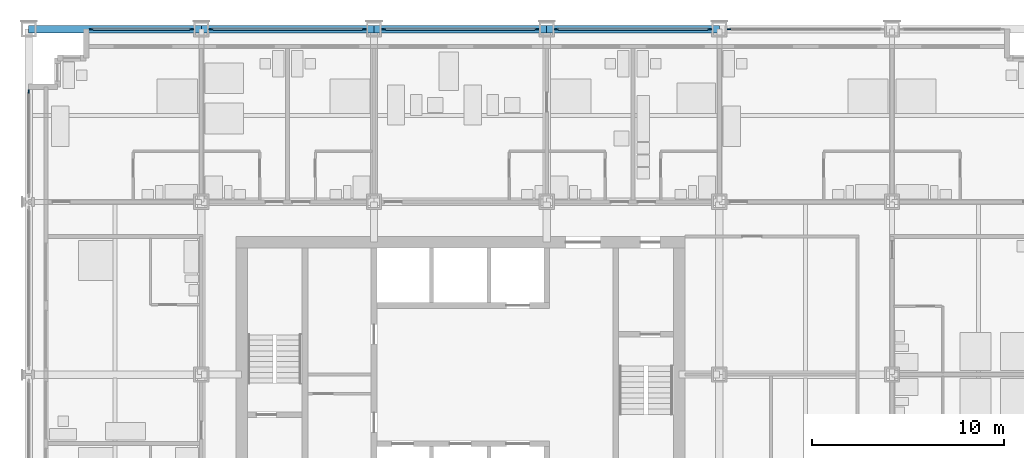
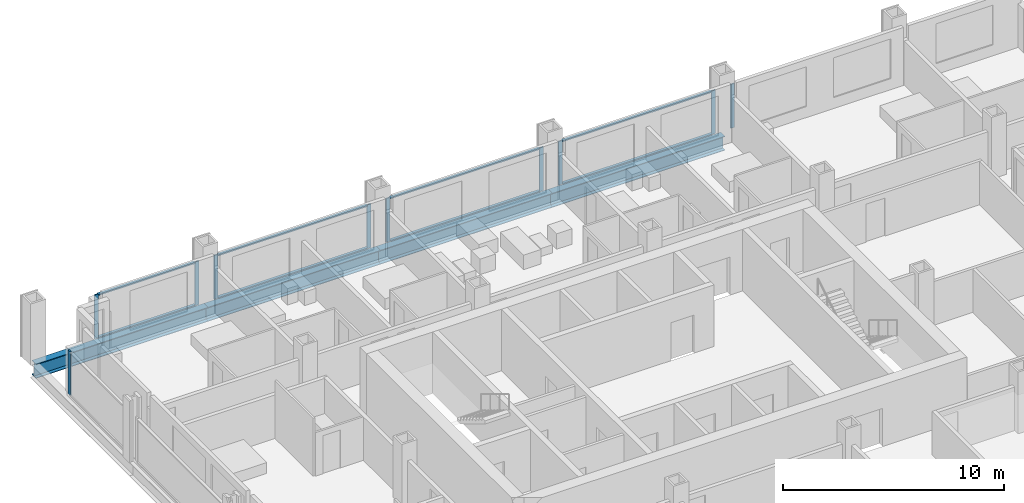
# One storey, part 7 of 18: 18 members, 4 beams, 6 elements without a shape of their own.
"""IFC4 building model written with IfcOpenShell, lengths in metres."""

from ifc_helpers import new_model, si_unit, direction, frame, origin, origin_2d, place, context, subcontext, project, spatial, rectangle, i_section, extrude, material, material_profile, profile_set, type_object, element, aggregate, save


model = new_model("IFC4")

# Units and contexts
model_context = context("Model", 3, precision=1e-05, world=origin(), true_north=direction((0.0, 1.0)))
body_context = subcontext(model_context, "Body", "Model", "MODEL_VIEW")
ifc_project = project(units=[si_unit("LENGTHUNIT", "METRE"), si_unit("AREAUNIT", "SQUARE_METRE"), si_unit("VOLUMEUNIT", "CUBIC_METRE"), si_unit("PLANEANGLEUNIT", "RADIAN"), si_unit("MASSUNIT", "GRAM", prefix="KILO")], contexts=[model_context])

# Site, building, storey
site_placement = place(None, origin())
site = spatial("IfcSite", under=ifc_project, at=site_placement, CompositionType="ELEMENT")
building_placement = place(site_placement, origin())
building = spatial("IfcBuilding", under=site, at=building_placement, Name="Loomwork Tower", CompositionType="ELEMENT")
storey_placement = place(building_placement, frame((0.0, 0.0, 34.800048828125)))
storey = spatial("IfcBuildingStorey", under=building, at=storey_placement, Name="L07", CompositionType="ELEMENT", Elevation=34.800048828125)

# Curtain wall, members
ifc_material_1 = material(Name="Aluminium curtain wall frame", Category="aluminium")
curtain_wall_type = type_object("IfcCurtainWallType", Name="Outer skin glazing hotel", PredefinedType="NOTDEFINED", material=ifc_material_1)
curtain_wall_1_placement = place(storey_placement, origin())
curtain_wall_1 = element("IfcCurtainWall", 1, at=curtain_wall_1_placement, inside=storey, type_object=curtain_wall_type, Name="Outer skin glazing hotel cw/N-0", PredefinedType="NOTDEFINED")
ifc_material_2 = material(Name="Aluminium curtain wall frame", Category="aluminium")
ifc_material_profile_1 = material_profile(ifc_material_2, rectangle(XDim=0.06494140625, YDim=0.199951171875, at=origin_2d()), Name="AL 65x200")
ifc_profile_set_1 = profile_set([ifc_material_profile_1], Name="Aluminium curtain wall frame")
member_type_1 = type_object("IfcMemberType", Name="Outer skin glazing hotel mullion", PredefinedType="MULLION", material=ifc_profile_set_1)
member_1_placement = place(storey_placement, frame((8.5, 36.0, 0.0), z_axis=(0.0, 0.0, 1.0), x_axis=(0.0, -1.0, 0.0)))
member_1 = element("IfcMember", 2, at=member_1_placement, type_object=member_type_1, Name="CW1 mullion 1", PredefinedType="MULLION", context=body_context, shape_type="SweptSolid", body=[
    extrude(rectangle(XDim=0.06494140625, YDim=0.199951171875, at=origin_2d()), origin(), (0.0, 0.0, 1.0), 2.420166015625),
])
member_2_placement = place(storey_placement, frame((3.25, 36.0, 0.0), z_axis=(0.0, 0.0, 1.0), x_axis=(0.0, -1.0, 0.0)))
member_2 = element("IfcMember", 3, at=member_2_placement, type_object=member_type_1, Name="CW1 mullion 2", PredefinedType="MULLION", context=body_context, shape_type="SweptSolid", body=[
    extrude(rectangle(XDim=0.06494140625, YDim=0.199951171875, at=origin_2d()), origin(), (0.0, 0.0, 1.0), 2.420166015625),
])

curtain_wall_2_placement = place(storey_placement, origin())
curtain_wall_2 = element("IfcCurtainWall", 4, at=curtain_wall_2_placement, inside=storey, type_object=curtain_wall_type, Name="Outer skin glazing hotel cw/N-9", PredefinedType="NOTDEFINED")
member_3_placement = place(storey_placement, frame((17.5, 36.0, 0.0), z_axis=(0.0, 0.0, 1.0), x_axis=(0.0, -1.0, 0.0)))
member_3 = element("IfcMember", 5, at=member_3_placement, type_object=member_type_1, Name="CW1 mullion 1", PredefinedType="MULLION", context=body_context, shape_type="SweptSolid", body=[
    extrude(rectangle(XDim=0.06494140625, YDim=0.199951171875, at=origin_2d()), origin(), (0.0, 0.0, 1.0), 2.420166015625),
])
member_4_placement = place(storey_placement, frame((9.5, 36.0, 0.0), z_axis=(0.0, 0.0, 1.0), x_axis=(0.0, -1.0, 0.0)))
member_4 = element("IfcMember", 6, at=member_4_placement, type_object=member_type_1, Name="CW1 mullion 2", PredefinedType="MULLION", context=body_context, shape_type="SweptSolid", body=[
    extrude(rectangle(XDim=0.06494140625, YDim=0.199951171875, at=origin_2d()), origin(), (0.0, 0.0, 1.0), 2.420166015625),
])

curtain_wall_3_placement = place(storey_placement, origin())
curtain_wall_3 = element("IfcCurtainWall", 7, at=curtain_wall_3_placement, inside=storey, type_object=curtain_wall_type, Name="Outer skin glazing hotel cw/N-18", PredefinedType="NOTDEFINED")
member_5_placement = place(storey_placement, frame((26.5, 36.0, 0.0), z_axis=(0.0, 0.0, 1.0), x_axis=(0.0, -1.0, 0.0)))
member_5 = element("IfcMember", 8, at=member_5_placement, type_object=member_type_1, Name="CW1 mullion 1", PredefinedType="MULLION", context=body_context, shape_type="SweptSolid", body=[
    extrude(rectangle(XDim=0.06494140625, YDim=0.199951171875, at=origin_2d()), origin(), (0.0, 0.0, 1.0), 2.420166015625),
])
member_6_placement = place(storey_placement, frame((18.5, 36.0, 0.0), z_axis=(0.0, 0.0, 1.0), x_axis=(0.0, -1.0, 0.0)))
member_6 = element("IfcMember", 9, at=member_6_placement, type_object=member_type_1, Name="CW1 mullion 2", PredefinedType="MULLION", context=body_context, shape_type="SweptSolid", body=[
    extrude(rectangle(XDim=0.06494140625, YDim=0.199951171875, at=origin_2d()), origin(), (0.0, 0.0, 1.0), 2.420166015625),
])

curtain_wall_4_placement = place(storey_placement, origin())
curtain_wall_4 = element("IfcCurtainWall", 10, at=curtain_wall_4_placement, inside=storey, type_object=curtain_wall_type, Name="Outer skin glazing hotel cw/N-27", PredefinedType="NOTDEFINED")
member_7_placement = place(storey_placement, frame((35.5, 36.0, 0.0), z_axis=(0.0, 0.0, 1.0), x_axis=(0.0, -1.0, 0.0)))
member_7 = element("IfcMember", 11, at=member_7_placement, type_object=member_type_1, Name="CW1 mullion 1", PredefinedType="MULLION", context=body_context, shape_type="SweptSolid", body=[
    extrude(rectangle(XDim=0.06494140625, YDim=0.199951171875, at=origin_2d()), origin(), (0.0, 0.0, 1.0), 2.420166015625),
])
member_8_placement = place(storey_placement, frame((27.5, 36.0, 0.0), z_axis=(0.0, 0.0, 1.0), x_axis=(0.0, -1.0, 0.0)))
member_8 = element("IfcMember", 12, at=member_8_placement, type_object=member_type_1, Name="CW1 mullion 2", PredefinedType="MULLION", context=body_context, shape_type="SweptSolid", body=[
    extrude(rectangle(XDim=0.06494140625, YDim=0.199951171875, at=origin_2d()), origin(), (0.0, 0.0, 1.0), 2.420166015625),
])

# Curtain wall, member
curtain_wall_5_placement = place(storey_placement, origin())
curtain_wall_5 = element("IfcCurtainWall", 13, at=curtain_wall_5_placement, inside=storey, type_object=curtain_wall_type, Name="Outer skin glazing hotel cw/N-36", PredefinedType="NOTDEFINED")
member_9_placement = place(storey_placement, frame((36.5, 36.0, 0.0), z_axis=(0.0, 0.0, 1.0), x_axis=(0.0, -1.0, 0.0)))
member_9 = element("IfcMember", 14, at=member_9_placement, type_object=member_type_1, Name="CW1 mullion 2", PredefinedType="MULLION", context=body_context, shape_type="SweptSolid", body=[
    extrude(rectangle(XDim=0.06494140625, YDim=0.199951171875, at=origin_2d()), origin(), (0.0, 0.0, 1.0), 2.420166015625),
])
aggregate(curtain_wall_5, [member_9])

curtain_wall_6_placement = place(storey_placement, origin())
curtain_wall_6 = element("IfcCurtainWall", 15, at=curtain_wall_6_placement, inside=storey, type_object=curtain_wall_type, Name="Outer skin glazing hotel cw/W-27", PredefinedType="NOTDEFINED")
member_10_placement = place(storey_placement, frame((0.0, 32.75, 0.0), z_axis=(0.0, 0.0, 1.0), x_axis=(1.0, 0.0, 0.0)))
member_10 = element("IfcMember", 16, at=member_10_placement, type_object=member_type_1, Name="CW1 mullion 1", PredefinedType="MULLION", context=body_context, shape_type="SweptSolid", body=[
    extrude(rectangle(XDim=0.06494140625, YDim=0.199951171875, at=origin_2d()), origin(), (0.0, 0.0, 1.0), 2.420166015625),
])
aggregate(curtain_wall_6, [member_10])

# Member
ifc_material_3 = material(Name="Aluminium curtain wall frame", Category="aluminium")
ifc_material_profile_2 = material_profile(ifc_material_3, rectangle(XDim=0.14990234375, YDim=0.06494140625, at=origin_2d()), Name="AL 65x150")
ifc_profile_set_2 = profile_set([ifc_material_profile_2], Name="Aluminium curtain wall frame")
member_type_2 = type_object("IfcMemberType", Name="Outer skin glazing hotel transom", PredefinedType="USERDEFINED", material=ifc_profile_set_2)
member_11_placement = place(storey_placement, frame((8.39990234375, 36.0, 0.032470703125), z_axis=(-1.0, 0.0, 0.0), x_axis=(0.0, -1.0, 0.0)))
member_11 = element("IfcMember", 17, at=member_11_placement, type_object=member_type_2, Name="CW1 transom 1.1", ObjectType="TRANSOM", PredefinedType="USERDEFINED", context=body_context, shape_type="SweptSolid", body=[
    extrude(rectangle(XDim=0.14990234375, YDim=0.06494140625, at=origin_2d()), origin(), (0.0, 0.0, 1.0), 5.0498046875),
])

member_12_placement = place(storey_placement, frame((8.39990234375, 36.0, 2.3876953125), z_axis=(-1.0, 0.0, 0.0), x_axis=(0.0, -1.0, 0.0)))
member_12 = element("IfcMember", 18, at=member_12_placement, type_object=member_type_2, Name="CW1 transom 1.2", ObjectType="TRANSOM", PredefinedType="USERDEFINED", context=body_context, shape_type="SweptSolid", body=[
    extrude(rectangle(XDim=0.14990234375, YDim=0.06494140625, at=origin_2d()), origin(), (0.0, 0.0, 1.0), 5.0498046875),
])

aggregate(curtain_wall_1, [member_1, member_2, member_11, member_12])

member_13_placement = place(storey_placement, frame((17.39990234375, 36.0, 0.032470703125), z_axis=(-1.0, 0.0, 0.0), x_axis=(0.0, -1.0, 0.0)))
member_13 = element("IfcMember", 19, at=member_13_placement, type_object=member_type_2, Name="CW1 transom 1.1", ObjectType="TRANSOM", PredefinedType="USERDEFINED", context=body_context, shape_type="SweptSolid", body=[
    extrude(rectangle(XDim=0.14990234375, YDim=0.06494140625, at=origin_2d()), origin(), (0.0, 0.0, 1.0), 7.7998046875),
])

member_14_placement = place(storey_placement, frame((17.39990234375, 36.0, 2.3876953125), z_axis=(-1.0, 0.0, 0.0), x_axis=(0.0, -1.0, 0.0)))
member_14 = element("IfcMember", 20, at=member_14_placement, type_object=member_type_2, Name="CW1 transom 1.2", ObjectType="TRANSOM", PredefinedType="USERDEFINED", context=body_context, shape_type="SweptSolid", body=[
    extrude(rectangle(XDim=0.14990234375, YDim=0.06494140625, at=origin_2d()), origin(), (0.0, 0.0, 1.0), 7.7998046875),
])

aggregate(curtain_wall_2, [member_3, member_4, member_13, member_14])

member_15_placement = place(storey_placement, frame((26.39990234375, 36.0, 0.032470703125), z_axis=(-1.0, 0.0, 0.0), x_axis=(0.0, -1.0, 0.0)))
member_15 = element("IfcMember", 21, at=member_15_placement, type_object=member_type_2, Name="CW1 transom 1.1", ObjectType="TRANSOM", PredefinedType="USERDEFINED", context=body_context, shape_type="SweptSolid", body=[
    extrude(rectangle(XDim=0.14990234375, YDim=0.06494140625, at=origin_2d()), origin(), (0.0, 0.0, 1.0), 7.7998046875),
])

member_16_placement = place(storey_placement, frame((26.39990234375, 36.0, 2.3876953125), z_axis=(-1.0, 0.0, 0.0), x_axis=(0.0, -1.0, 0.0)))
member_16 = element("IfcMember", 22, at=member_16_placement, type_object=member_type_2, Name="CW1 transom 1.2", ObjectType="TRANSOM", PredefinedType="USERDEFINED", context=body_context, shape_type="SweptSolid", body=[
    extrude(rectangle(XDim=0.14990234375, YDim=0.06494140625, at=origin_2d()), origin(), (0.0, 0.0, 1.0), 7.7998046875),
])

aggregate(curtain_wall_3, [member_5, member_6, member_15, member_16])

member_17_placement = place(storey_placement, frame((35.39990234375, 36.0, 0.032470703125), z_axis=(-1.0, 0.0, 0.0), x_axis=(0.0, -1.0, 0.0)))
member_17 = element("IfcMember", 23, at=member_17_placement, type_object=member_type_2, Name="CW1 transom 1.1", ObjectType="TRANSOM", PredefinedType="USERDEFINED", context=body_context, shape_type="SweptSolid", body=[
    extrude(rectangle(XDim=0.14990234375, YDim=0.06494140625, at=origin_2d()), origin(), (0.0, 0.0, 1.0), 7.7998046875),
])

member_18_placement = place(storey_placement, frame((35.39990234375, 36.0, 2.3876953125), z_axis=(-1.0, 0.0, 0.0), x_axis=(0.0, -1.0, 0.0)))
member_18 = element("IfcMember", 24, at=member_18_placement, type_object=member_type_2, Name="CW1 transom 1.2", ObjectType="TRANSOM", PredefinedType="USERDEFINED", context=body_context, shape_type="SweptSolid", body=[
    extrude(rectangle(XDim=0.14990234375, YDim=0.06494140625, at=origin_2d()), origin(), (0.0, 0.0, 1.0), 7.7998046875),
])

aggregate(curtain_wall_4, [member_7, member_8, member_17, member_18])

# Beams
ifc_material_4 = material(Name="Steel ASTM A992", Category="steel")
ifc_material_profile_3 = material_profile(ifc_material_4, i_section(OverallWidth=0.381103515625, OverallDepth=0.77978515625, WebThickness=0.01806640625, FlangeThickness=0.0302734375, at=origin_2d()), Name="W30x191")
ifc_profile_set_3 = profile_set([ifc_material_profile_3], Name="Steel ASTM A992")
beam_type = type_object("IfcBeamType", Name="SPANDREL GIRDER W30x191", PredefinedType="SPANDREL", material=ifc_profile_set_3)
for number, where, z_axis, x_axis, name in (
    (25, (0.0, 36.0, -0.58984375), (1.0, 0.0, 0.0), (0.0, 1.0, 0.0), "Spandrel Girder H/2-H/3 L07"),
    (26, (9.0, 36.0, -0.58984375), (1.0, 0.0, 0.0), (0.0, 1.0, 0.0), "Spandrel Girder H/3-H/4 L07"),
    (27, (18.0, 36.0, -0.58984375), (1.0, 0.0, 0.0), (0.0, 1.0, 0.0), "Spandrel Girder H/4-H/5 L07"),
    (28, (27.0, 36.0, -0.58984375), (1.0, 0.0, 0.0), (0.0, 1.0, 0.0), "Spandrel Girder H/5-H/6 L07"),
):
    element("IfcBeam", number, at=place(storey_placement, frame(where, z_axis=z_axis, x_axis=x_axis)), inside=storey, type_object=beam_type, Name=name, PredefinedType="SPANDREL", context=body_context, shape_type="SweptSolid", body=[
        extrude(i_section(OverallWidth=0.381103515625, OverallDepth=0.77978515625, WebThickness=0.01806640625, FlangeThickness=0.0302734375, at=origin_2d()), origin(), (0.0, 0.0, 1.0), 9.0),
    ])

save(model, "model.ifc")
